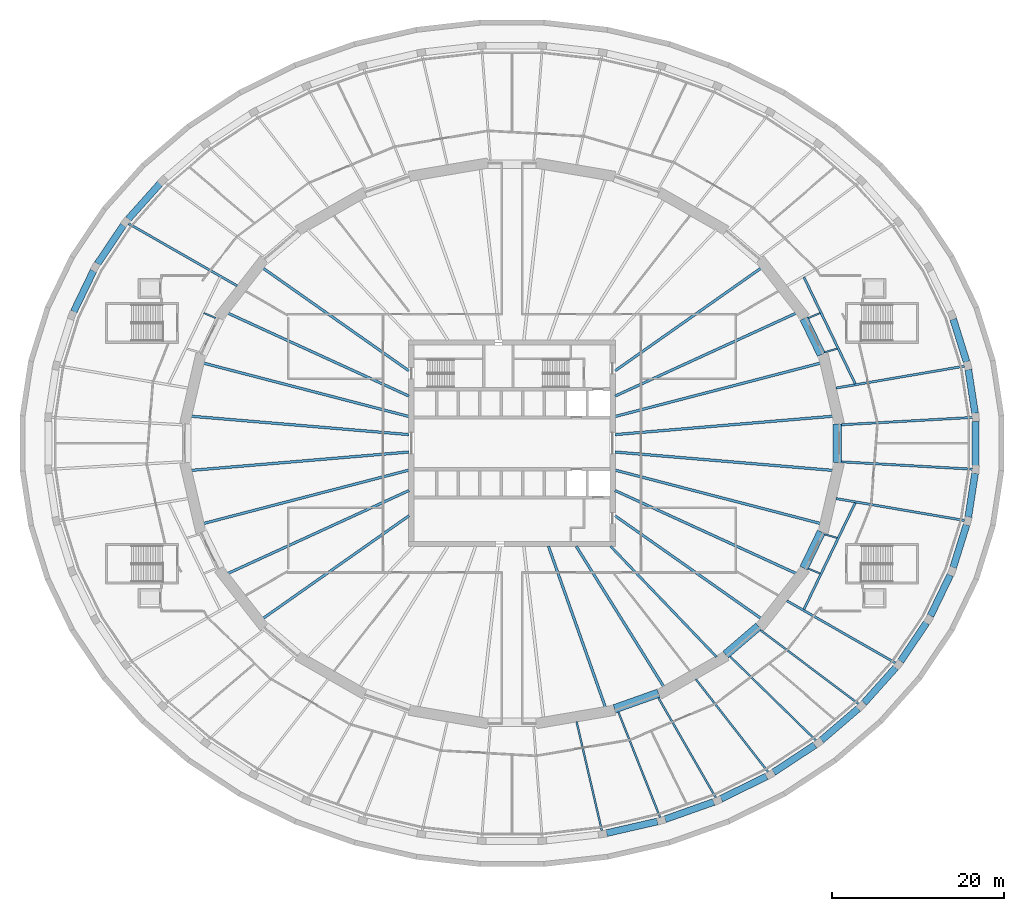
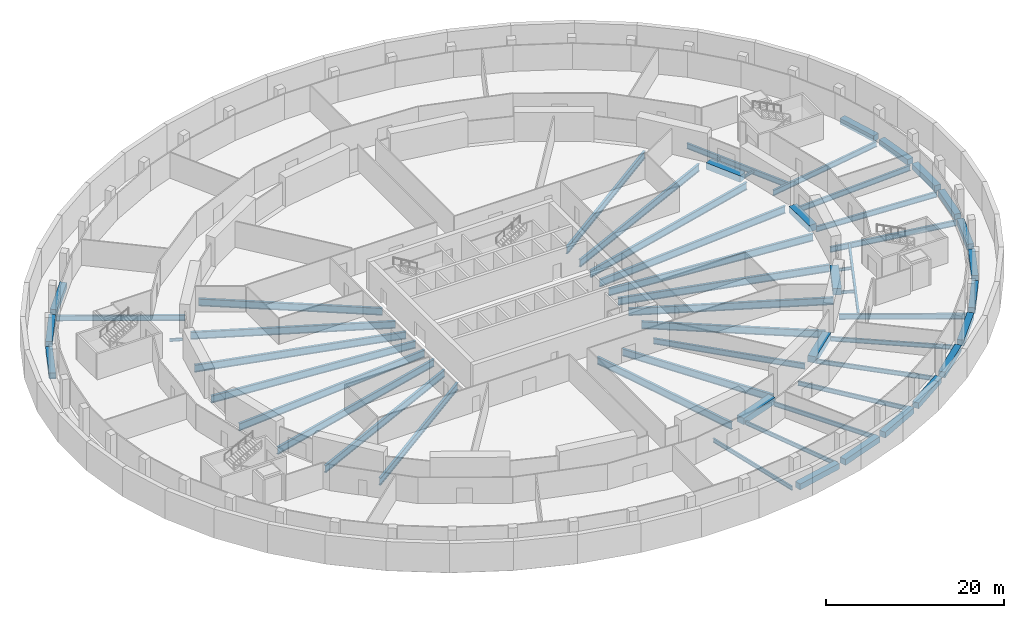
# One storey, part 2 of 14: 59 beams.
"""IFC4 building model written with IfcOpenShell, lengths in metres."""

from ifc_helpers import new_model, si_unit, direction, frame, origin, origin_2d, place, context, subcontext, project, spatial, rectangle, i_section, extrude, material, material_profile, profile_set, type_object, element, save


model = new_model("IFC4")

# Units and contexts
model_context = context("Model", 3, precision=1e-05, world=origin(), true_north=direction((0.0, 1.0)))
body_context = subcontext(model_context, "Body", "Model", "MODEL_VIEW")
ifc_project = project(units=[si_unit("LENGTHUNIT", "METRE"), si_unit("AREAUNIT", "SQUARE_METRE"), si_unit("VOLUMEUNIT", "CUBIC_METRE"), si_unit("PLANEANGLEUNIT", "RADIAN"), si_unit("MASSUNIT", "GRAM", prefix="KILO")], contexts=[model_context])

# Site, building, storey
site_placement = place(None, origin())
site = spatial("IfcSite", under=ifc_project, at=site_placement, CompositionType="ELEMENT")
building_placement = place(site_placement, origin())
building = spatial("IfcBuilding", under=site, at=building_placement, Name="Halqa Exchange Tower", CompositionType="ELEMENT")
storey_placement = place(building_placement, frame((0.0, 0.0, -4.0)))
storey = spatial("IfcBuildingStorey", under=building, at=storey_placement, Name="B1", CompositionType="ELEMENT", Elevation=-4.0)

# Beams
ifc_material_1 = material(Name="Steel S355", Category="steel")
ifc_material_profile_1 = material_profile(ifc_material_1, i_section(OverallWidth=0.300048828125, OverallDepth=0.989990234375, WebThickness=0.0166015625, FlangeThickness=0.031005859375, FilletRadius=0.030029296875, at=origin_2d()), Name="HEA 1000")
ifc_profile_set_1 = profile_set([ifc_material_profile_1], Name="Steel S355")
beam_type_1 = type_object("IfcBeamType", Name="Floor beam HEA 1000", PredefinedType="BEAM", material=ifc_profile_set_1)
beam_1_placement = place(storey_placement, frame((7.46533203125, -11.971435546875, -0.945068359375), z_axis=(0.529145823441, -0.848530905468, 0.0), x_axis=(0.848530905468, 0.529145823441, 0.0)))
element("IfcBeam", 1, at=beam_1_placement, inside=storey, type_object=beam_type_1, Name="Radial beam 27", PredefinedType="BEAM", context=body_context, shape_type="SweptSolid", body=[
    extrude(i_section(OverallWidth=0.300048828125, OverallDepth=0.989990234375, WebThickness=0.0166015625, FlangeThickness=0.031005859375, FilletRadius=0.030029296875, at=origin_2d()), origin(), (0.0, 0.0, 1.0), 19.27294921875),
])
ifc_material_profile_2 = material_profile(ifc_material_1, i_section(OverallWidth=0.300048828125, OverallDepth=1.0, WebThickness=0.01904296875, FlangeThickness=0.035888671875, FilletRadius=0.030029296875, at=origin_2d()), Name="HEB 1000")
ifc_profile_set_2 = profile_set([ifc_material_profile_2], Name="Steel S355")
beam_type_2 = type_object("IfcBeamType", Name="Floor beam HEB 1000", PredefinedType="BEAM", material=ifc_profile_set_2)
beam_2_placement = place(storey_placement, frame((11.972412109375, 5.485107421875, -0.949951171875), z_axis=(0.909128229117, 0.416516341843, 0.0), x_axis=(-0.416516341843, 0.909128229117, 0.0)))
element("IfcBeam", 2, at=beam_2_placement, inside=storey, type_object=beam_type_2, Name="Radial beam 3", PredefinedType="BEAM", context=body_context, shape_type="SweptSolid", body=[
    extrude(i_section(OverallWidth=0.300048828125, OverallDepth=1.0, WebThickness=0.01904296875, FlangeThickness=0.035888671875, FilletRadius=0.030029296875, at=origin_2d()), origin(), (0.0, 0.0, 1.0), 23.209228515625),
])
for number, where, z_axis, x_axis, name in (
    (3, (11.972412109375, 8.421875, -0.949951171875), (0.817909911418, 0.575346310325, 0.0), (-0.575346310325, 0.817909911418, 0.0), "Radial beam 4"),
    (4, (-11.972412109375, 8.421875, -0.949951171875), (-0.817909911418, 0.575346310325, 0.0), (-0.575346310325, -0.817909911418, 0.0), "Radial beam 13"),
):
    element("IfcBeam", number, at=place(storey_placement, frame(where, z_axis=z_axis, x_axis=x_axis)), inside=storey, type_object=beam_type_2, Name=name, PredefinedType="BEAM", context=body_context, shape_type="SweptSolid", body=[
        extrude(i_section(OverallWidth=0.300048828125, OverallDepth=1.0, WebThickness=0.01904296875, FlangeThickness=0.035888671875, FilletRadius=0.030029296875, at=origin_2d()), origin(), (0.0, 0.0, 1.0), 20.804443359375),
    ])
for number, where, z_axis, x_axis, name in (
    (5, (-11.972412109375, 5.485107421875, -0.949951171875), (-0.909128229117, 0.416516341843, 0.0), (-0.416516341843, -0.909128229117, 0.0), "Radial beam 14"),
    (6, (-11.972412109375, -5.485107421875, -0.949951171875), (-0.909128229117, -0.416516341843, 0.0), (0.416516341843, -0.909128229117, 0.0), "Radial beam 19"),
):
    element("IfcBeam", number, at=place(storey_placement, frame(where, z_axis=z_axis, x_axis=x_axis)), inside=storey, type_object=beam_type_2, Name=name, PredefinedType="BEAM", context=body_context, shape_type="SweptSolid", body=[
        extrude(i_section(OverallWidth=0.300048828125, OverallDepth=1.0, WebThickness=0.01904296875, FlangeThickness=0.035888671875, FilletRadius=0.030029296875, at=origin_2d()), origin(), (0.0, 0.0, 1.0), 23.209228515625),
    ])
beam_3_placement = place(storey_placement, frame((-11.972412109375, -8.421875, -0.949951171875), z_axis=(-0.817909911418, -0.575346310325, 0.0), x_axis=(0.575346310325, -0.817909911418, 0.0)))
element("IfcBeam", 7, at=beam_3_placement, inside=storey, type_object=beam_type_2, Name="Radial beam 20", PredefinedType="BEAM", context=body_context, shape_type="SweptSolid", body=[
    extrude(i_section(OverallWidth=0.300048828125, OverallDepth=1.0, WebThickness=0.01904296875, FlangeThickness=0.035888671875, FilletRadius=0.030029296875, at=origin_2d()), origin(), (0.0, 0.0, 1.0), 20.804443359375),
])
beam_4_placement = place(storey_placement, frame((4.23681640625, -11.971923828125, -0.949951171875), z_axis=(0.333633039334, -0.942703025913, 0.0), x_axis=(0.942703025913, 0.333633039334, 0.0)))
element("IfcBeam", 8, at=beam_4_placement, inside=storey, type_object=beam_type_2, Name="Radial beam 26", PredefinedType="BEAM", context=body_context, shape_type="SweptSolid", body=[
    extrude(i_section(OverallWidth=0.300048828125, OverallDepth=1.0, WebThickness=0.01904296875, FlangeThickness=0.035888671875, FilletRadius=0.030029296875, at=origin_2d()), origin(), (0.0, 0.0, 1.0), 19.885009765625),
])
beam_5_placement = place(storey_placement, frame((11.972412109375, -8.421875, -0.949951171875), z_axis=(0.817909911418, -0.575346310325, 0.0), x_axis=(0.575346310325, 0.817909911418, 0.0)))
element("IfcBeam", 9, at=beam_5_placement, inside=storey, type_object=beam_type_2, Name="Radial beam 29", PredefinedType="BEAM", context=body_context, shape_type="SweptSolid", body=[
    extrude(i_section(OverallWidth=0.300048828125, OverallDepth=1.0, WebThickness=0.01904296875, FlangeThickness=0.035888671875, FilletRadius=0.030029296875, at=origin_2d()), origin(), (0.0, 0.0, 1.0), 20.804443359375),
])
beam_6_placement = place(storey_placement, frame((11.972412109375, -5.485107421875, -0.949951171875), z_axis=(0.909128229117, -0.416516341843, 0.0), x_axis=(0.416516341843, 0.909128229117, 0.0)))
element("IfcBeam", 10, at=beam_6_placement, inside=storey, type_object=beam_type_2, Name="Radial beam 30", PredefinedType="BEAM", context=body_context, shape_type="SweptSolid", body=[
    extrude(i_section(OverallWidth=0.300048828125, OverallDepth=1.0, WebThickness=0.01904296875, FlangeThickness=0.035888671875, FilletRadius=0.030029296875, at=origin_2d()), origin(), (0.0, 0.0, 1.0), 23.209228515625),
])
ifc_material_profile_3 = material_profile(ifc_material_1, i_section(OverallWidth=0.302001953125, OverallDepth=1.008056640625, WebThickness=0.02099609375, FlangeThickness=0.0400390625, FilletRadius=0.030029296875, at=origin_2d()), Name="HEM 1000")
ifc_profile_set_3 = profile_set([ifc_material_profile_3], Name="Steel S355")
beam_type_3 = type_object("IfcBeamType", Name="Floor beam HEM 1000", PredefinedType="BEAM", material=ifc_profile_set_3)
beam_7_placement = place(storey_placement, frame((11.972412109375, 1.0107421875, -0.9541015625), z_axis=(0.996455167327, 0.084125498561, 0.0), x_axis=(-0.084125498561, 0.996455167327, 0.0)))
element("IfcBeam", 11, at=beam_7_placement, inside=storey, type_object=beam_type_3, Name="Radial beam 1", PredefinedType="BEAM", context=body_context, shape_type="SweptSolid", body=[
    extrude(i_section(OverallWidth=0.302001953125, OverallDepth=1.008056640625, WebThickness=0.02099609375, FlangeThickness=0.0400390625, FilletRadius=0.030029296875, at=origin_2d()), origin(), (0.0, 0.0, 1.0), 25.460205078125),
])
for number, where, z_axis, x_axis, name in (
    (12, (11.971435546875, 3.11279296875, -0.9541015625), (0.967821064299, 0.251639399735, 0.0), (-0.251639399735, 0.967821064299, 0.0), "Radial beam 2"),
    (13, (-11.971435546875, 3.11279296875, -0.9541015625), (-0.967821064299, 0.251639399735, 0.0), (-0.251639399735, -0.967821064299, 0.0), "Radial beam 15"),
):
    element("IfcBeam", number, at=place(storey_placement, frame(where, z_axis=z_axis, x_axis=x_axis)), inside=storey, type_object=beam_type_3, Name=name, PredefinedType="BEAM", context=body_context, shape_type="SweptSolid", body=[
        extrude(i_section(OverallWidth=0.302001953125, OverallDepth=1.008056640625, WebThickness=0.02099609375, FlangeThickness=0.0400390625, FilletRadius=0.030029296875, at=origin_2d()), origin(), (0.0, 0.0, 1.0), 24.7314453125),
    ])
for number, where, z_axis, x_axis, name in (
    (14, (-11.972412109375, 1.0107421875, -0.9541015625), (-0.996455167327, 0.084125498561, 0.0), (-0.084125498561, -0.996455167327, 0.0), "Radial beam 16"),
    (15, (-11.972412109375, -1.0107421875, -0.9541015625), (-0.996455167327, -0.084125498561, 0.0), (0.084125498561, -0.996455167327, 0.0), "Radial beam 17"),
):
    element("IfcBeam", number, at=place(storey_placement, frame(where, z_axis=z_axis, x_axis=x_axis)), inside=storey, type_object=beam_type_3, Name=name, PredefinedType="BEAM", context=body_context, shape_type="SweptSolid", body=[
        extrude(i_section(OverallWidth=0.302001953125, OverallDepth=1.008056640625, WebThickness=0.02099609375, FlangeThickness=0.0400390625, FilletRadius=0.030029296875, at=origin_2d()), origin(), (0.0, 0.0, 1.0), 25.460205078125),
    ])
for number, where, z_axis, x_axis, name in (
    (16, (-11.971435546875, -3.11279296875, -0.9541015625), (-0.967821064299, -0.251639399735, 0.0), (0.251639399735, -0.967821064299, 0.0), "Radial beam 18"),
    (17, (11.971435546875, -3.11279296875, -0.9541015625), (0.967821064299, -0.251639399735, 0.0), (0.251639399735, 0.967821064299, 0.0), "Radial beam 31"),
):
    element("IfcBeam", number, at=place(storey_placement, frame(where, z_axis=z_axis, x_axis=x_axis)), inside=storey, type_object=beam_type_3, Name=name, PredefinedType="BEAM", context=body_context, shape_type="SweptSolid", body=[
        extrude(i_section(OverallWidth=0.302001953125, OverallDepth=1.008056640625, WebThickness=0.02099609375, FlangeThickness=0.0400390625, FilletRadius=0.030029296875, at=origin_2d()), origin(), (0.0, 0.0, 1.0), 24.7314453125),
    ])
beam_8_placement = place(storey_placement, frame((11.972412109375, -1.0107421875, -0.9541015625), z_axis=(0.996455167327, -0.084125498561, 0.0), x_axis=(0.084125498561, 0.996455167327, 0.0)))
element("IfcBeam", 18, at=beam_8_placement, inside=storey, type_object=beam_type_3, Name="Radial beam 32", PredefinedType="BEAM", context=body_context, shape_type="SweptSolid", body=[
    extrude(i_section(OverallWidth=0.302001953125, OverallDepth=1.008056640625, WebThickness=0.02099609375, FlangeThickness=0.0400390625, FilletRadius=0.030029296875, at=origin_2d()), origin(), (0.0, 0.0, 1.0), 25.460205078125),
])
ifc_material_profile_4 = material_profile(ifc_material_1, i_section(OverallWidth=0.179931640625, OverallDepth=0.39990234375, WebThickness=0.008544921875, FlangeThickness=0.013427734375, FilletRadius=0.02099609375, at=origin_2d()), Name="IPE 400")
ifc_profile_set_4 = profile_set([ifc_material_profile_4], Name="Steel S355")
beam_type_4 = type_object("IfcBeamType", Name="Floor beam IPE 400", PredefinedType="BEAM", material=ifc_profile_set_4)
beam_9_placement = place(storey_placement, frame((36.34521484375, 10.578369140625, -0.64990234375), z_axis=(0.960174163417, 0.279402175917, 0.0), x_axis=(-0.279402175917, 0.960174163417, 0.0)))
element("IfcBeam", 19, at=beam_9_placement, inside=storey, type_object=beam_type_4, Name="Radial beam 3a", PredefinedType="BEAM", context=body_context, shape_type="SweptSolid", body=[
    extrude(i_section(OverallWidth=0.179931640625, OverallDepth=0.39990234375, WebThickness=0.008544921875, FlangeThickness=0.013427734375, FilletRadius=0.02099609375, at=origin_2d()), origin(), (0.0, 0.0, 1.0), 1.521240234375),
])
for number, where, z_axis, x_axis, name in (
    (20, (34.423583984375, 14.555419921875, -0.64990234375), (0.921076708702, 0.389381171459, 0.0), (-0.389381171459, 0.921076708702, 0.0), "Radial beam 4a"),
    (21, (34.423583984375, -14.555419921875, -0.64990234375), (0.921076708702, -0.389381171459, 0.0), (0.389381171459, 0.921076708702, 0.0), "Radial beam 45a"),
):
    element("IfcBeam", number, at=place(storey_placement, frame(where, z_axis=z_axis, x_axis=x_axis)), inside=storey, type_object=beam_type_4, Name=name, PredefinedType="BEAM", context=body_context, shape_type="SweptSolid", body=[
        extrude(i_section(OverallWidth=0.179931640625, OverallDepth=0.39990234375, WebThickness=0.008544921875, FlangeThickness=0.013427734375, FilletRadius=0.02099609375, at=origin_2d()), origin(), (0.0, 0.0, 1.0), 1.5078125),
    ])
beam_10_placement = place(storey_placement, frame((36.34521484375, -10.578369140625, -0.64990234375), z_axis=(0.960174163417, -0.279402175917, 0.0), x_axis=(0.279402175917, 0.960174163417, 0.0)))
element("IfcBeam", 22, at=beam_10_placement, inside=storey, type_object=beam_type_4, Name="Radial beam 46a", PredefinedType="BEAM", context=body_context, shape_type="SweptSolid", body=[
    extrude(i_section(OverallWidth=0.179931640625, OverallDepth=0.39990234375, WebThickness=0.008544921875, FlangeThickness=0.013427734375, FilletRadius=0.02099609375, at=origin_2d()), origin(), (0.0, 0.0, 1.0), 1.521240234375),
])
beam_11_placement = place(storey_placement, frame((-34.423583984375, 14.555419921875, -0.64990234375), z_axis=(-0.921076708702, 0.389381171459, 0.0), x_axis=(-0.389381171459, -0.921076708702, 0.0)))
element("IfcBeam", 23, at=beam_11_placement, inside=storey, type_object=beam_type_4, Name="Radial beam 21a", PredefinedType="BEAM", context=body_context, shape_type="SweptSolid", body=[
    extrude(i_section(OverallWidth=0.179931640625, OverallDepth=0.39990234375, WebThickness=0.008544921875, FlangeThickness=0.013427734375, FilletRadius=0.02099609375, at=origin_2d()), origin(), (0.0, 0.0, 1.0), 1.5078125),
])
ifc_material_profile_5 = material_profile(ifc_material_1, i_section(OverallWidth=0.2099609375, OverallDepth=0.550048828125, WebThickness=0.010986328125, FlangeThickness=0.01708984375, FilletRadius=0.02392578125, at=origin_2d()), Name="IPE 550")
ifc_profile_set_5 = profile_set([ifc_material_profile_5], Name="Steel S355")
beam_type_5 = type_object("IfcBeamType", Name="Floor beam IPE 550", PredefinedType="BEAM", material=ifc_profile_set_5)
beam_12_placement = place(storey_placement, frame((7.5048828125, -32.35009765625, -0.72509765625), z_axis=(0.2259960959, -0.974128207495, 0.0), x_axis=(0.974128207495, 0.2259960959, 0.0)))
element("IfcBeam", 24, at=beam_12_placement, inside=storey, type_object=beam_type_5, Name="Radial beam 38", PredefinedType="BEAM", context=body_context, shape_type="SweptSolid", body=[
    extrude(i_section(OverallWidth=0.2099609375, OverallDepth=0.550048828125, WebThickness=0.010986328125, FlangeThickness=0.01708984375, FilletRadius=0.02392578125, at=origin_2d()), origin(), (0.0, 0.0, 1.0), 13.03466796875),
])
beam_13_placement = place(storey_placement, frame((12.352294921875, -31.2001953125, -0.72509765625), z_axis=(0.368106640822, -0.929783577497, 0.0), x_axis=(0.929783577497, 0.368106640822, 0.0)))
element("IfcBeam", 25, at=beam_13_placement, inside=storey, type_object=beam_type_5, Name="Radial beam 39", PredefinedType="BEAM", context=body_context, shape_type="SweptSolid", body=[
    extrude(i_section(OverallWidth=0.2099609375, OverallDepth=0.550048828125, WebThickness=0.010986328125, FlangeThickness=0.01708984375, FilletRadius=0.02392578125, at=origin_2d()), origin(), (0.0, 0.0, 1.0), 13.22412109375),
])
ifc_material_profile_6 = material_profile(ifc_material_1, i_section(OverallWidth=0.219970703125, OverallDepth=0.60009765625, WebThickness=0.011962890625, FlangeThickness=0.01904296875, FilletRadius=0.02392578125, at=origin_2d()), Name="IPE 600")
ifc_profile_set_6 = profile_set([ifc_material_profile_6], Name="Steel S355")
beam_type_6 = type_object("IfcBeamType", Name="Floor beam IPE 600", PredefinedType="BEAM", material=ifc_profile_set_6)
beam_14_placement = place(storey_placement, frame((16.996826171875, -29.551513671875, -0.75), z_axis=(0.498570786865, -0.866848989435, 0.0), x_axis=(0.866848989435, 0.498570786865, 0.0)))
element("IfcBeam", 26, at=beam_14_placement, inside=storey, type_object=beam_type_6, Name="Radial beam 40", PredefinedType="BEAM", context=body_context, shape_type="SweptSolid", body=[
    extrude(i_section(OverallWidth=0.219970703125, OverallDepth=0.60009765625, WebThickness=0.011962890625, FlangeThickness=0.01904296875, FilletRadius=0.02392578125, at=origin_2d()), origin(), (0.0, 0.0, 1.0), 13.438720703125),
])
beam_15_placement = place(storey_placement, frame((21.3603515625, -27.40966796875, -0.75), z_axis=(0.614701342153, -0.78875995078, 0.0), x_axis=(0.78875995078, 0.614701342153, 0.0)))
element("IfcBeam", 27, at=beam_15_placement, inside=storey, type_object=beam_type_6, Name="Radial beam 41", PredefinedType="BEAM", context=body_context, shape_type="SweptSolid", body=[
    extrude(i_section(OverallWidth=0.219970703125, OverallDepth=0.60009765625, WebThickness=0.011962890625, FlangeThickness=0.01904296875, FilletRadius=0.02392578125, at=origin_2d()), origin(), (0.0, 0.0, 1.0), 13.681396484375),
])
beam_16_placement = place(storey_placement, frame((25.322265625, -24.757080078125, -0.75), z_axis=(0.715038042334, -0.699085544133, 0.0), x_axis=(0.699085544133, 0.715038042334, 0.0)))
element("IfcBeam", 28, at=beam_16_placement, inside=storey, type_object=beam_type_6, Name="Radial beam 42", PredefinedType="BEAM", context=body_context, shape_type="SweptSolid", body=[
    extrude(i_section(OverallWidth=0.219970703125, OverallDepth=0.60009765625, WebThickness=0.011962890625, FlangeThickness=0.01904296875, FilletRadius=0.02392578125, at=origin_2d()), origin(), (0.0, 0.0, 1.0), 14.00341796875),
])
beam_17_placement = place(storey_placement, frame((28.875732421875, -21.71240234375, -0.75), z_axis=(0.799257291391, -0.600989003359, 0.0), x_axis=(0.600989003359, 0.799257291391, 0.0)))
element("IfcBeam", 29, at=beam_17_placement, inside=storey, type_object=beam_type_6, Name="Radial beam 43", PredefinedType="BEAM", context=body_context, shape_type="SweptSolid", body=[
    extrude(i_section(OverallWidth=0.219970703125, OverallDepth=0.60009765625, WebThickness=0.011962890625, FlangeThickness=0.01904296875, FilletRadius=0.02392578125, at=origin_2d()), origin(), (0.0, 0.0, 1.0), 14.291259765625),
])
ifc_material_profile_7 = material_profile(ifc_material_1, i_section(OverallWidth=0.264892578125, OverallDepth=0.7529296875, WebThickness=0.01318359375, FlangeThickness=0.01708984375, FilletRadius=0.01708984375, at=origin_2d()), Name="IPE 750x147")
ifc_profile_set_7 = profile_set([ifc_material_profile_7], Name="Steel S355")
beam_type_7 = type_object("IfcBeamType", Name="Floor beam IPE 750x147", PredefinedType="BEAM", material=ifc_profile_set_7)
beam_18_placement = place(storey_placement, frame((38.2880859375, 2.151611328125, -0.826416015625), z_axis=(0.998424130563, 0.056118227964, 0.0), x_axis=(-0.056118227964, 0.998424130563, 0.0)))
element("IfcBeam", 30, at=beam_18_placement, inside=storey, type_object=beam_type_7, Name="Radial beam 1", PredefinedType="BEAM", context=body_context, shape_type="SweptSolid", body=[
    extrude(i_section(OverallWidth=0.264892578125, OverallDepth=0.7529296875, WebThickness=0.01318359375, FlangeThickness=0.01708984375, FilletRadius=0.01708984375, at=origin_2d()), origin(), (0.0, 0.0, 1.0), 15.248291015625),
])
beam_19_placement = place(storey_placement, frame((37.654296875, 6.421875, -0.826416015625), z_axis=(0.985764762639, 0.168130403968, 0.0), x_axis=(-0.168130403968, 0.985764762639, 0.0)))
element("IfcBeam", 31, at=beam_19_placement, inside=storey, type_object=beam_type_7, Name="Radial beam 2", PredefinedType="BEAM", context=body_context, shape_type="SweptSolid", body=[
    extrude(i_section(OverallWidth=0.264892578125, OverallDepth=0.7529296875, WebThickness=0.01318359375, FlangeThickness=0.01708984375, FilletRadius=0.01708984375, at=origin_2d()), origin(), (0.0, 0.0, 1.0), 15.156982421875),
])
for number, where, z_axis, x_axis, name in (
    (32, (-31.942626953125, 18.300048828125, -0.826416015625), (-0.867691436398, 0.497103179633, 0.0), (-0.497103179633, -0.867691436398, 0.0), "Radial beam 20"),
    (33, (31.942626953125, -18.300048828125, -0.826416015625), (0.867691436398, -0.497103179633, 0.0), (0.497103179633, 0.867691436398, 0.0), "Radial beam 44"),
):
    element("IfcBeam", number, at=place(storey_placement, frame(where, z_axis=z_axis, x_axis=x_axis)), inside=storey, type_object=beam_type_7, Name=name, PredefinedType="BEAM", context=body_context, shape_type="SweptSolid", body=[
        extrude(i_section(OverallWidth=0.264892578125, OverallDepth=0.7529296875, WebThickness=0.01318359375, FlangeThickness=0.01708984375, FilletRadius=0.01708984375, at=origin_2d()), origin(), (0.0, 0.0, 1.0), 14.555908203125),
    ])
beam_20_placement = place(storey_placement, frame((37.654296875, -6.421875, -0.826416015625), z_axis=(0.985764762639, -0.168130403968, 0.0), x_axis=(0.168130403968, 0.985764762639, 0.0)))
element("IfcBeam", 34, at=beam_20_placement, inside=storey, type_object=beam_type_7, Name="Radial beam 47", PredefinedType="BEAM", context=body_context, shape_type="SweptSolid", body=[
    extrude(i_section(OverallWidth=0.264892578125, OverallDepth=0.7529296875, WebThickness=0.01318359375, FlangeThickness=0.01708984375, FilletRadius=0.01708984375, at=origin_2d()), origin(), (0.0, 0.0, 1.0), 15.156982421875),
])
beam_21_placement = place(storey_placement, frame((38.2880859375, -2.151611328125, -0.826416015625), z_axis=(0.998424130563, -0.056118227964, 0.0), x_axis=(0.056118227964, 0.998424130563, 0.0)))
element("IfcBeam", 35, at=beam_21_placement, inside=storey, type_object=beam_type_7, Name="Radial beam 48", PredefinedType="BEAM", context=body_context, shape_type="SweptSolid", body=[
    extrude(i_section(OverallWidth=0.264892578125, OverallDepth=0.7529296875, WebThickness=0.01318359375, FlangeThickness=0.01708984375, FilletRadius=0.01708984375, at=origin_2d()), origin(), (0.0, 0.0, 1.0), 15.248291015625),
])
for number, where, z_axis, x_axis, name in (
    (36, (39.89306640625, 6.91015625, -0.826416015625), (-0.433856142987, 0.900982156978, 0.0), (-0.900982156978, -0.433856142987, 0.0), "Radial beam TSS1-in"),
    (37, (33.92041015625, -19.3134765625, -0.826416015625), (0.433856142987, 0.900982156978, 0.0), (-0.900982156978, 0.433856142987, 0.0), "Radial beam TSS2-in"),
):
    element("IfcBeam", number, at=place(storey_placement, frame(where, z_axis=z_axis, x_axis=x_axis)), inside=storey, type_object=beam_type_7, Name=name, PredefinedType="BEAM", context=body_context, shape_type="SweptSolid", body=[
        extrude(i_section(OverallWidth=0.264892578125, OverallDepth=0.7529296875, WebThickness=0.01318359375, FlangeThickness=0.01708984375, FilletRadius=0.01708984375, at=origin_2d()), origin(), (0.0, 0.0, 1.0), 13.766357421875),
    ])
ifc_material_profile_8 = material_profile(ifc_material_1, i_section(OverallWidth=0.26806640625, OverallDepth=0.77001953125, WebThickness=0.015625, FlangeThickness=0.025390625, FilletRadius=0.01708984375, at=origin_2d()), Name="IPE 750x196")
ifc_profile_set_8 = profile_set([ifc_material_profile_8], Name="Steel S355")
beam_type_8 = type_object("IfcBeamType", Name="Floor beam IPE 750x196", PredefinedType="BEAM", material=ifc_profile_set_8)
beam_22_placement = place(storey_placement, frame((11.46240234375, -11.9716796875, -0.8349609375), z_axis=(0.6915763718, -0.722303344841, 0.0), x_axis=(0.722303344841, 0.6915763718, 0.0)))
element("IfcBeam", 38, at=beam_22_placement, inside=storey, type_object=beam_type_8, Name="Radial beam 28", PredefinedType="BEAM", context=body_context, shape_type="SweptSolid", body=[
    extrude(i_section(OverallWidth=0.26806640625, OverallDepth=0.77001953125, WebThickness=0.015625, FlangeThickness=0.025390625, FilletRadius=0.01708984375, at=origin_2d()), origin(), (0.0, 0.0, 1.0), 17.7978515625),
])
ifc_material_2 = material(Name="Concrete C60/75", Category="concrete")
ifc_material_profile_9 = material_profile(ifc_material_2, rectangle(XDim=0.800048828125, YDim=0.800048828125, at=origin_2d()), Name="800 x 800")
ifc_profile_set_9 = profile_set([ifc_material_profile_9], Name="Concrete C60/75")
beam_type_9 = type_object("IfcBeamType", Name="RC podium edge beam 800 x 800 C60/75", PredefinedType="SPANDREL", material=ifc_profile_set_9)
beam_23_placement = place(storey_placement, frame((53.812744140625, 3.495361328125, -0.39990234375), z_axis=(-0.151767505705, 0.988416220128, 0.0), x_axis=(-0.988416220128, -0.151767505705, 0.0)))
element("IfcBeam", 39, at=beam_23_placement, inside=storey, type_object=beam_type_9, Name="Podium edge beam 1", PredefinedType="SPANDREL", context=body_context, shape_type="SweptSolid", body=[
    extrude(rectangle(XDim=0.800048828125, YDim=0.800048828125, at=origin_2d()), origin(), (0.0, 0.0, 1.0), 5.1298828125),
])
beam_24_placement = place(storey_placement, frame((52.821044921875, 9.4853515625, -0.39990234375), z_axis=(-0.298331338153, 0.954462368392, 0.0), x_axis=(-0.954462368392, -0.298331338153, 0.0)))
element("IfcBeam", 40, at=beam_24_placement, inside=storey, type_object=beam_type_9, Name="Podium edge beam 2", PredefinedType="SPANDREL", context=body_context, shape_type="SweptSolid", body=[
    extrude(rectangle(XDim=0.800048828125, YDim=0.800048828125, at=origin_2d()), origin(), (0.0, 0.0, 1.0), 5.180908203125),
])
beam_25_placement = place(storey_placement, frame((-40.914794921875, 30.175048828125, -0.39990234375), z_axis=(-0.666902525907, -0.745144966392, 0.0), x_axis=(0.745144966392, -0.666902525907, 0.0)))
element("IfcBeam", 41, at=beam_25_placement, inside=storey, type_object=beam_type_9, Name="Podium edge beam 19", PredefinedType="SPANDREL", context=body_context, shape_type="SweptSolid", body=[
    extrude(rectangle(XDim=0.800048828125, YDim=0.800048828125, at=origin_2d()), origin(), (0.0, 0.0, 1.0), 5.501220703125),
])
beam_26_placement = place(storey_placement, frame((-45.1630859375, 25.331298828125, -0.39990234375), z_axis=(-0.558528358221, -0.829485426673, 0.0), x_axis=(0.829485426673, -0.558528358221, 0.0)))
element("IfcBeam", 42, at=beam_26_placement, inside=storey, type_object=beam_type_9, Name="Podium edge beam 20", PredefinedType="SPANDREL", context=body_context, shape_type="SweptSolid", body=[
    extrude(rectangle(XDim=0.800048828125, YDim=0.800048828125, at=origin_2d()), origin(), (0.0, 0.0, 1.0), 5.378173828125),
])
beam_27_placement = place(storey_placement, frame((-48.636962890625, 20.052001953125, -0.39990234375), z_axis=(-0.43497328232, -0.9004433595, 0.0), x_axis=(0.9004433595, -0.43497328232, 0.0)))
element("IfcBeam", 43, at=beam_27_placement, inside=storey, type_object=beam_type_9, Name="Podium edge beam 21", PredefinedType="SPANDREL", context=body_context, shape_type="SweptSolid", body=[
    extrude(rectangle(XDim=0.800048828125, YDim=0.800048828125, at=origin_2d()), origin(), (0.0, 0.0, 1.0), 5.267578125),
])
beam_28_placement = place(storey_placement, frame((10.99658203125, -45.304443359375, -0.39990234375), z_axis=(0.974604133477, 0.223934774008, 0.0), x_axis=(-0.223934774008, 0.974604133477, 0.0)))
element("IfcBeam", 44, at=beam_28_placement, inside=storey, type_object=beam_type_9, Name="Podium edge beam 38", PredefinedType="SPANDREL", context=body_context, shape_type="SweptSolid", body=[
    extrude(rectangle(XDim=0.800048828125, YDim=0.800048828125, at=origin_2d()), origin(), (0.0, 0.0, 1.0), 6.05517578125),
])
beam_29_placement = place(storey_placement, frame((17.802490234375, -43.684814453125, -0.39990234375), z_axis=(0.942343471221, 0.334647250469, 0.0), x_axis=(-0.334647250469, 0.942343471221, 0.0)))
element("IfcBeam", 45, at=beam_29_placement, inside=storey, type_object=beam_type_9, Name="Podium edge beam 39", PredefinedType="SPANDREL", context=body_context, shape_type="SweptSolid", body=[
    extrude(rectangle(XDim=0.800048828125, YDim=0.800048828125, at=origin_2d()), origin(), (0.0, 0.0, 1.0), 5.980712890625),
])
beam_30_placement = place(storey_placement, frame((24.30712890625, -41.3154296875, -0.39990234375), z_axis=(0.896205416004, 0.443639326847, 0.0), x_axis=(-0.443639326847, 0.896205416004, 0.0)))
element("IfcBeam", 46, at=beam_30_placement, inside=storey, type_object=beam_type_9, Name="Podium edge beam 40", PredefinedType="SPANDREL", context=body_context, shape_type="SweptSolid", body=[
    extrude(rectangle(XDim=0.800048828125, YDim=0.800048828125, at=origin_2d()), origin(), (0.0, 0.0, 1.0), 5.880126953125),
])
beam_31_placement = place(storey_placement, frame((30.396240234375, -38.23681640625, -0.39990234375), z_axis=(0.835418618456, 0.549614166426, 0.0), x_axis=(-0.549614166426, 0.835418618456, 0.0)))
element("IfcBeam", 47, at=beam_31_placement, inside=storey, type_object=beam_type_9, Name="Podium edge beam 41", PredefinedType="SPANDREL", context=body_context, shape_type="SweptSolid", body=[
    extrude(rectangle(XDim=0.800048828125, YDim=0.800048828125, at=origin_2d()), origin(), (0.0, 0.0, 1.0), 5.760986328125),
])
beam_32_placement = place(storey_placement, frame((35.963134765625, -34.502685546875, -0.39990234375), z_axis=(0.759174010844, 0.650887717859, 0.0), x_axis=(-0.650887717859, 0.759174010844, 0.0)))
element("IfcBeam", 48, at=beam_32_placement, inside=storey, type_object=beam_type_9, Name="Podium edge beam 42", PredefinedType="SPANDREL", context=body_context, shape_type="SweptSolid", body=[
    extrude(rectangle(XDim=0.800048828125, YDim=0.800048828125, at=origin_2d()), origin(), (0.0, 0.0, 1.0), 5.63427734375),
])
beam_33_placement = place(storey_placement, frame((40.914794921875, -30.175048828125, -0.39990234375), z_axis=(0.666902525907, 0.745144966392, 0.0), x_axis=(-0.745144966392, 0.666902525907, 0.0)))
element("IfcBeam", 49, at=beam_33_placement, inside=storey, type_object=beam_type_9, Name="Podium edge beam 43", PredefinedType="SPANDREL", context=body_context, shape_type="SweptSolid", body=[
    extrude(rectangle(XDim=0.800048828125, YDim=0.800048828125, at=origin_2d()), origin(), (0.0, 0.0, 1.0), 5.501220703125),
])
beam_34_placement = place(storey_placement, frame((45.1630859375, -25.331298828125, -0.39990234375), z_axis=(0.558528358221, 0.829485426673, 0.0), x_axis=(-0.829485426673, 0.558528358221, 0.0)))
element("IfcBeam", 50, at=beam_34_placement, inside=storey, type_object=beam_type_9, Name="Podium edge beam 44", PredefinedType="SPANDREL", context=body_context, shape_type="SweptSolid", body=[
    extrude(rectangle(XDim=0.800048828125, YDim=0.800048828125, at=origin_2d()), origin(), (0.0, 0.0, 1.0), 5.378173828125),
])
beam_35_placement = place(storey_placement, frame((48.636962890625, -20.052001953125, -0.39990234375), z_axis=(0.43497328232, 0.9004433595, 0.0), x_axis=(-0.9004433595, 0.43497328232, 0.0)))
element("IfcBeam", 51, at=beam_35_placement, inside=storey, type_object=beam_type_9, Name="Podium edge beam 45", PredefinedType="SPANDREL", context=body_context, shape_type="SweptSolid", body=[
    extrude(rectangle(XDim=0.800048828125, YDim=0.800048828125, at=origin_2d()), origin(), (0.0, 0.0, 1.0), 5.267578125),
])
beam_36_placement = place(storey_placement, frame((51.275390625, -14.430419921875, -0.39990234375), z_axis=(0.298331338153, 0.954462368392, 0.0), x_axis=(-0.954462368392, 0.298331338153, 0.0)))
element("IfcBeam", 52, at=beam_36_placement, inside=storey, type_object=beam_type_9, Name="Podium edge beam 46", PredefinedType="SPANDREL", context=body_context, shape_type="SweptSolid", body=[
    extrude(rectangle(XDim=0.800048828125, YDim=0.800048828125, at=origin_2d()), origin(), (0.0, 0.0, 1.0), 5.180908203125),
])
beam_37_placement = place(storey_placement, frame((53.0341796875, -8.56591796875, -0.39990234375), z_axis=(0.151767505705, 0.988416220128, 0.0), x_axis=(-0.988416220128, 0.151767505705, 0.0)))
element("IfcBeam", 53, at=beam_37_placement, inside=storey, type_object=beam_type_9, Name="Podium edge beam 47", PredefinedType="SPANDREL", context=body_context, shape_type="SweptSolid", body=[
    extrude(rectangle(XDim=0.800048828125, YDim=0.800048828125, at=origin_2d()), origin(), (0.0, 0.0, 1.0), 5.1298828125),
])
beam_38_placement = place(storey_placement, frame((53.884521484375, -2.5556640625, -0.39990234375), z_axis=(0.0, 1.0, 0.0), x_axis=(-1.0, 0.0, 0.0)))
element("IfcBeam", 54, at=beam_38_placement, inside=storey, type_object=beam_type_9, Name="Podium edge beam 48", PredefinedType="SPANDREL", context=body_context, shape_type="SweptSolid", body=[
    extrude(rectangle(XDim=0.800048828125, YDim=0.800048828125, at=origin_2d()), origin(), (0.0, 0.0, 1.0), 5.111328125),
])
ifc_material_profile_10 = material_profile(ifc_material_2, rectangle(XDim=1.0, YDim=0.89990234375, at=origin_2d()), Name="1000 x 900")
ifc_profile_set_10 = profile_set([ifc_material_profile_10], Name="Concrete C60/75")
beam_type_10 = type_object("IfcBeamType", Name="RC spandrel beam 1000 x 900 C60/75", PredefinedType="SPANDREL", material=ifc_profile_set_10)
beam_39_placement = place(storey_placement, frame((35.951904296875, 10.306884765625, -0.449951171875), z_axis=(-0.435068215878, 0.900397494184, 0.0), x_axis=(-0.900397494184, -0.435068215878, 0.0)))
element("IfcBeam", 55, at=beam_39_placement, inside=storey, type_object=beam_type_10, Name="Spandrel 2", PredefinedType="SPANDREL", context=body_context, shape_type="SweptSolid", body=[
    extrude(rectangle(XDim=1.0, YDim=0.89990234375, at=origin_2d()), origin(), (0.0, 0.0, 1.0), 4.6630859375),
])
beam_40_placement = place(storey_placement, frame((11.9130859375, -30.855712890625, -0.449951171875), z_axis=(0.942357788657, 0.334606930826, 0.0), x_axis=(-0.334606930826, 0.942357788657, 0.0)))
element("IfcBeam", 56, at=beam_40_placement, inside=storey, type_object=beam_type_10, Name="Spandrel 26", PredefinedType="SPANDREL", context=body_context, shape_type="SweptSolid", body=[
    extrude(rectangle(XDim=1.0, YDim=0.89990234375, at=origin_2d()), origin(), (0.0, 0.0, 1.0), 5.429931640625),
])
beam_41_placement = place(storey_placement, frame((24.81982421875, -24.56689453125, -0.449951171875), z_axis=(0.759263417999, 0.650783421799, 0.0), x_axis=(-0.650783421799, 0.759263417999, 0.0)))
element("IfcBeam", 57, at=beam_41_placement, inside=storey, type_object=beam_type_10, Name="Spandrel 28", PredefinedType="SPANDREL", context=body_context, shape_type="SweptSolid", body=[
    extrude(rectangle(XDim=1.0, YDim=0.89990234375, at=origin_2d()), origin(), (0.0, 0.0, 1.0), 5.056884765625),
])
beam_42_placement = place(storey_placement, frame((33.923095703125, -14.505615234375, -0.449951171875), z_axis=(0.435068215878, 0.900397494184, 0.0), x_axis=(-0.900397494184, 0.435068215878, 0.0)))
element("IfcBeam", 58, at=beam_42_placement, inside=storey, type_object=beam_type_10, Name="Spandrel 30", PredefinedType="SPANDREL", context=body_context, shape_type="SweptSolid", body=[
    extrude(rectangle(XDim=1.0, YDim=0.89990234375, at=origin_2d()), origin(), (0.0, 0.0, 1.0), 4.6630859375),
])
beam_43_placement = place(storey_placement, frame((37.81689453125, -2.24609375, -0.449951171875), z_axis=(0.0, 1.0, 0.0), x_axis=(-1.0, 0.0, 0.0)))
element("IfcBeam", 59, at=beam_43_placement, inside=storey, type_object=beam_type_10, Name="Spandrel 32", PredefinedType="SPANDREL", context=body_context, shape_type="SweptSolid", body=[
    extrude(rectangle(XDim=1.0, YDim=0.89990234375, at=origin_2d()), origin(), (0.0, 0.0, 1.0), 4.4921875),
])

save(model, "model.ifc")
